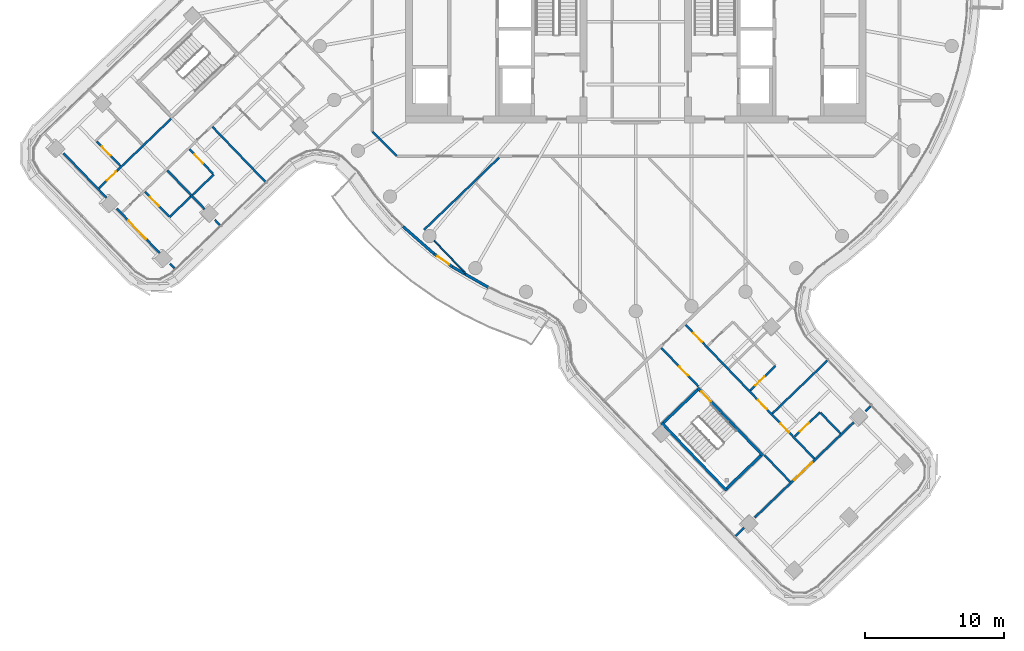
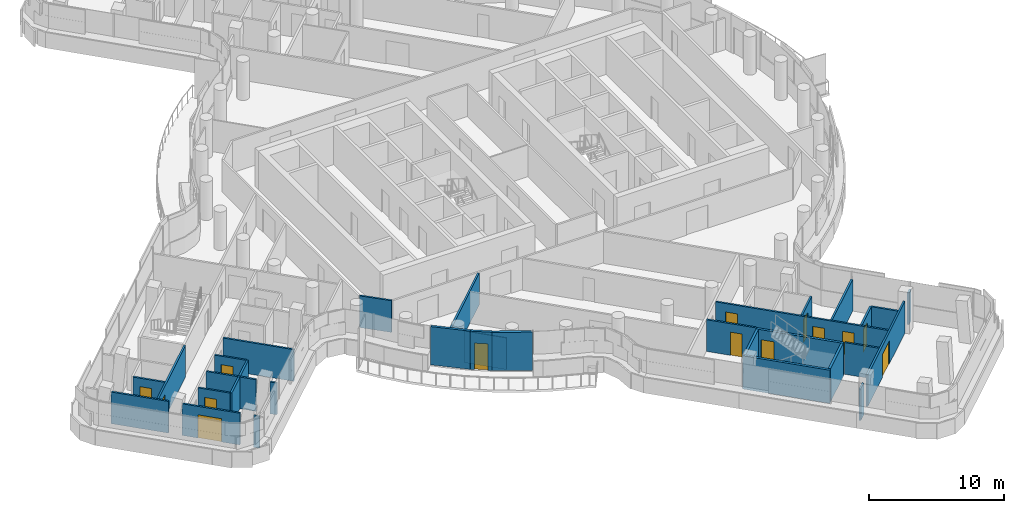
# One storey, part 20 of 34: 31 walls, 14 doors, 14 openings.
"""IFC4 building model written with IfcOpenShell, lengths in metres."""

from ifc_helpers import new_model, si_unit, direction, frame, frame_2d, origin, place, context, subcontext, project, spatial, polyline, rectangle, outline, extrude, material, layer, layer_set, type_object, element, fill, save


model = new_model("IFC4")

# Units and contexts
model_context = context("Model", 3, precision=1e-05, world=origin(), true_north=direction((0.0, 1.0)))
body_context = subcontext(model_context, "Body", "Model", "MODEL_VIEW")
ifc_project = project(units=[si_unit("LENGTHUNIT", "METRE"), si_unit("AREAUNIT", "SQUARE_METRE"), si_unit("VOLUMEUNIT", "CUBIC_METRE"), si_unit("PLANEANGLEUNIT", "RADIAN"), si_unit("MASSUNIT", "GRAM", prefix="KILO")], contexts=[model_context])

# Site, building, storey
site_placement = place(None, origin())
site = spatial("IfcSite", under=ifc_project, at=site_placement, CompositionType="ELEMENT")
building_placement = place(site_placement, origin())
building = spatial("IfcBuilding", under=site, at=building_placement, Name="Tamarind Cross Interchange Tower", CompositionType="ELEMENT")
storey_placement = place(building_placement, frame((0.0, 0.0, 193.300048828125)))
storey = spatial("IfcBuildingStorey", under=building, at=storey_placement, Name="L48", CompositionType="ELEMENT", Elevation=193.300048828125)

# Walls
ifc_material_1 = material(Name="Concrete C40", Category="concrete")
ifc_layer_1 = layer(ifc_material_1, 0.199951171875)
ifc_layer_set_1 = layer_set([ifc_layer_1], Name="Concrete C40")
wall_type_1 = type_object("IfcWallType", Name="Balcony and garden door wall", PredefinedType="SOLIDWALL", material=ifc_layer_set_1)
wall_1_placement = place(storey_placement, frame((-16.703857421875, -16.919189453125, 0.0), z_axis=(0.0, 0.0, 1.0), x_axis=(0.750789592243, -0.660541435627, 0.0)))
element("IfcWall", 1, at=wall_1_placement, inside=storey, type_object=wall_type_1, Name="EXW-L48-02-D02L", PredefinedType="SOLIDWALL", context=body_context, shape_type="SweptSolid", body=[
    extrude(rectangle(XDim=2.991943359375, YDim=0.199951171875, at=frame_2d((1.49609375, 0.0))), origin(), (0.0, 0.0, 1.0), 3.4599609375),
])
wall_2_placement = place(storey_placement, frame((-13.1513671875, -19.819580078125, 0.0), z_axis=(0.0, 0.0, 1.0), x_axis=(0.867966774953, -0.496622268508, 0.0)))
element("IfcWall", 2, at=wall_2_placement, inside=storey, type_object=wall_type_1, Name="EXW-L48-02-D02R", PredefinedType="SOLIDWALL", context=body_context, shape_type="SweptSolid", body=[
    extrude(rectangle(XDim=2.991455078125, YDim=0.199951171875, at=frame_2d((1.49560546875, 0.0))), origin(), (0.0, 0.0, 1.0), 3.4599609375),
])

# Wall, opening, door
wall_3_placement = place(storey_placement, frame((-14.45751953125, -18.8955078125, 0.0), z_axis=(0.0, 0.0, 1.0), x_axis=(0.816354223939, -0.57755153974, 0.0)))
wall_3 = element("IfcWall", 3, at=wall_3_placement, inside=storey, type_object=wall_type_1, Name="EXW-L48-02-D02", PredefinedType="SOLIDWALL", context=body_context, shape_type="SweptSolid", body=[
    extrude(rectangle(XDim=1.60009765625, YDim=0.199951171875, at=frame_2d((0.800048828125, 0.0))), origin(), (0.0, 0.0, 1.0), 3.4599609375),
])
opening_1_placement = place(wall_3_placement, frame((0.300048828125, 0.0, 0.0)))
opening_1 = element("IfcOpeningElement", 4, at=opening_1_placement, cuts=wall_3, Name="Opening D2", PredefinedType="OPENING", context=body_context, shape_type="SweptSolid", body=[
    extrude(rectangle(XDim=1.0, YDim=2.39990234375, at=frame_2d((0.5, 1.199951171875))), frame((0.0, 0.10986328125, 0.0), z_axis=(0.0, -1.0, 0.0), x_axis=(1.0, 0.0, 0.0)), (0.0, 0.0, 1.0), 0.219970703125),
])
ifc_material_2 = material(Name="Aluminium and toughened glass", Category="aluminium")
door_type_1 = type_object("IfcDoorType", Name="Balcony and garden door", OperationType="SINGLE_SWING_LEFT", PredefinedType="DOOR", material=ifc_material_2)
door_1_placement = place(opening_1_placement, origin())
door_1 = element("IfcDoor", 5, at=door_1_placement, inside=storey, type_object=door_type_1, Name="DOR-L48-02-02", OperationType="SINGLE_SWING_LEFT", OverallHeight=2.39990234375, OverallWidth=1.0, PredefinedType="DOOR", context=body_context, shape_type="SweptSolid", body=[
    extrude(rectangle(XDim=1.0, YDim=2.39990234375, at=frame_2d((0.5, 1.199951171875))), frame((0.0, 0.02490234375, 0.0), z_axis=(0.0, -1.0, 0.0), x_axis=(1.0, 0.0, 0.0)), (0.0, 0.0, 1.0), 0.050048828125),
])
fill(opening_1, door_1)

# Walls
ifc_material_3 = material(Name="Gypsum board partition on steel studs", Category="steel")
ifc_layer_2 = layer(ifc_material_3, 0.10009765625)
ifc_layer_set_2 = layer_set([ifc_layer_2], Name="Gypsum board partition on steel studs")
wall_type_2 = type_object("IfcWallType", Name="Partition 100 mm EI 90", PredefinedType="PARTITIONING", material=ifc_layer_set_2)
wall_4_placement = place(storey_placement, frame((-14.445556640625, -17.943115234375, 0.0), z_axis=(0.0, 0.0, 1.0), x_axis=(0.693080436315, -0.720860256081, 0.0)))
element("IfcWall", 6, at=wall_4_placement, inside=storey, type_object=wall_type_2, Name="Partition L48-019", PredefinedType="PARTITIONING", context=body_context, shape_type="SweptSolid", body=[
    extrude(rectangle(XDim=3.278076171875, YDim=0.10009765625, at=frame_2d((1.63916015625, 0.0))), origin(), (0.0, 0.0, 1.0), 2.864013671875),
])
ifc_layer_3 = layer(ifc_material_3, 0.14990234375)
ifc_layer_set_3 = layer_set([ifc_layer_3], Name="Gypsum board partition on steel studs")
wall_type_3 = type_object("IfcWallType", Name="Partition 150 mm EI 120", PredefinedType="PARTITIONING", material=ifc_layer_set_3)
wall_5_placement = place(storey_placement, frame((-41.02099609375, -11.671142578125, 0.0), z_axis=(0.0, 0.0, 1.0), x_axis=(0.693163684942, -0.720780206358, 0.0)))
element("IfcWall", 7, at=wall_5_placement, inside=storey, type_object=wall_type_3, Name="Partition L48-002", PredefinedType="PARTITIONING", context=body_context, shape_type="SweptSolid", body=[
    extrude(rectangle(XDim=4.43798828125, YDim=0.14990234375, at=frame_2d((2.218994140625, 0.0))), origin(), (0.0, 0.0, 1.0), 2.864013671875),
])

# Wall, opening, door
wall_6_placement = place(storey_placement, frame((-37.208251953125, -15.6357421875, 0.0), z_axis=(0.0, 0.0, 1.0), x_axis=(0.693163684942, -0.720780206358, 0.0)))
wall_6 = element("IfcWall", 8, at=wall_6_placement, inside=storey, type_object=wall_type_3, Name="Partition L48-003", PredefinedType="PARTITIONING", context=body_context, shape_type="SweptSolid", body=[
    extrude(rectangle(XDim=4.43798828125, YDim=0.14990234375, at=frame_2d((2.218994140625, 0.0))), origin(), (0.0, 0.0, 1.0), 2.864013671875),
])
opening_2_placement = place(wall_6_placement, frame((1.221923828125, 0.0, 0.0)))
opening_2 = element("IfcOpeningElement", 9, at=opening_2_placement, cuts=wall_6, Name="Opening D01", PredefinedType="OPENING", context=body_context, shape_type="SweptSolid", body=[
    extrude(rectangle(XDim=1.800048828125, YDim=2.10009765625, at=frame_2d((0.89990234375, 1.050048828125))), frame((0.0, 0.0849609375, 0.0), z_axis=(0.0, -1.0, 0.0), x_axis=(1.0, 0.0, 0.0)), (0.0, 0.0, 1.0), 0.169921875),
])
ifc_material_4 = material(Name="Fire-resisting door set")
door_type_2 = type_object("IfcDoorType", Name="Interior door 1800 x 2100 FD60S", OperationType="DOUBLE_DOOR_SINGLE_SWING", PredefinedType="DOOR", material=ifc_material_4)
door_2_placement = place(opening_2_placement, frame((1.800048828125, 0.0, 0.0), z_axis=(0.0, 0.0, 1.0), x_axis=(-1.0, 0.0, 0.0)))
door_2 = element("IfcDoor", 10, at=door_2_placement, inside=storey, type_object=door_type_2, Name="Door D01", OperationType="DOUBLE_DOOR_SINGLE_SWING", OverallHeight=2.10009765625, OverallWidth=1.800048828125, PredefinedType="DOOR", context=body_context, shape_type="SweptSolid", body=[
    extrude(rectangle(XDim=1.800048828125, YDim=2.10009765625, at=frame_2d((0.89990234375, 1.050048828125))), frame((0.0, 0.02490234375, 0.0), z_axis=(0.0, -1.0, 0.0), x_axis=(1.0, 0.0, 0.0)), (0.0, 0.0, 1.0), 0.050048828125),
])
fill(opening_2, door_2)

# Walls
wall_7_placement = place(storey_placement, frame((-33.3955078125, -19.6005859375, 0.0), z_axis=(0.0, 0.0, 1.0), x_axis=(0.693263789221, -0.720683924168, 0.0)))
element("IfcWall", 11, at=wall_7_placement, inside=storey, type_object=wall_type_3, Name="Partition L48-004", PredefinedType="PARTITIONING", context=body_context, shape_type="SweptSolid", body=[
    extrude(rectangle(XDim=0.471923828125, YDim=0.14990234375, at=frame_2d((0.23583984375, 0.0))), origin(), (0.0, 0.0, 1.0), 2.864013671875),
])
wall_8_placement = place(storey_placement, frame((-33.5810546875, -12.913330078125, 0.0), z_axis=(0.0, 0.0, 1.0), x_axis=(0.693362340848, -0.720589109198, 0.0)))
element("IfcWall", 12, at=wall_8_placement, inside=storey, type_object=wall_type_3, Name="Partition L48-007", PredefinedType="PARTITIONING", context=body_context, shape_type="SweptSolid", body=[
    extrude(rectangle(XDim=3.846923828125, YDim=0.14990234375, at=frame_2d((1.92333984375, 0.0))), origin(), (0.0, 0.0, 1.0), 2.864013671875),
])
wall_9_placement = place(storey_placement, frame((-30.177001953125, -16.451171875, 0.0), z_axis=(0.0, 0.0, 1.0), x_axis=(0.693570598872, -0.720388662029, 0.0)))
element("IfcWall", 13, at=wall_9_placement, inside=storey, type_object=wall_type_3, Name="Partition L48-008", PredefinedType="PARTITIONING", context=body_context, shape_type="SweptSolid", body=[
    extrude(rectangle(XDim=0.528076171875, YDim=0.14990234375, at=frame_2d((0.26416015625, 0.0))), origin(), (0.0, 0.0, 1.0), 2.864013671875),
])

# Wall, opening, door
wall_10_placement = place(storey_placement, frame((-38.636962890625, -10.83203125, 0.0), z_axis=(0.0, 0.0, 1.0), x_axis=(0.69314064678, -0.720802361109, 0.0)))
wall_10 = element("IfcWall", 14, at=wall_10_placement, inside=storey, type_object=wall_type_3, Name="Partition L48-009", PredefinedType="PARTITIONING", context=body_context, shape_type="SweptSolid", body=[
    extrude(rectangle(XDim=2.44482421875, YDim=0.14990234375, at=frame_2d((1.222412109375, 0.0))), origin(), (0.0, 0.0, 1.0), 2.864013671875),
])
opening_3_placement = place(wall_10_placement, frame((0.52490234375, 0.0, 0.0)))
opening_3 = element("IfcOpeningElement", 15, at=opening_3_placement, cuts=wall_10, Name="Opening D02", PredefinedType="OPENING", context=body_context, shape_type="SweptSolid", body=[
    extrude(rectangle(XDim=0.89990234375, YDim=2.10009765625, at=frame_2d((0.449951171875, 1.050048828125))), frame((0.0, 0.0849609375, 0.0), z_axis=(0.0, -1.0, 0.0), x_axis=(1.0, 0.0, 0.0)), (0.0, 0.0, 1.0), 0.169921875),
])
door_type_3 = type_object("IfcDoorType", Name="Interior door 900 x 2100 FD60S", OperationType="SINGLE_SWING_LEFT", PredefinedType="DOOR", material=ifc_material_4)
door_3_placement = place(opening_3_placement, origin())
door_3 = element("IfcDoor", 16, at=door_3_placement, inside=storey, type_object=door_type_3, Name="Door D02", OperationType="SINGLE_SWING_RIGHT", OverallHeight=2.10009765625, OverallWidth=0.89990234375, PredefinedType="DOOR", context=body_context, shape_type="SweptSolid", body=[
    extrude(rectangle(XDim=0.89990234375, YDim=2.10009765625, at=frame_2d((0.449951171875, 1.050048828125))), frame((0.0, 0.02490234375, 0.0), z_axis=(0.0, -1.0, 0.0), x_axis=(1.0, 0.0, 0.0)), (0.0, 0.0, 1.0), 0.050048828125),
])
fill(opening_3, door_3)

wall_11_placement = place(storey_placement, frame((-35.167724609375, -14.43994140625, 0.0), z_axis=(0.0, 0.0, 1.0), x_axis=(0.693138230108, -0.720804685031, 0.0)))
wall_11 = element("IfcWall", 17, at=wall_11_placement, inside=storey, type_object=wall_type_3, Name="Partition L48-010", PredefinedType="PARTITIONING", context=body_context, shape_type="SweptSolid", body=[
    extrude(rectangle(XDim=2.479736328125, YDim=0.14990234375, at=frame_2d((1.23974609375, 0.0))), origin(), (0.0, 0.0, 1.0), 2.864013671875),
])
opening_4_placement = place(wall_11_placement, frame((0.52001953125, 0.0, 0.0)))
opening_4 = element("IfcOpeningElement", 18, at=opening_4_placement, cuts=wall_11, Name="Opening D03", PredefinedType="OPENING", context=body_context, shape_type="SweptSolid", body=[
    extrude(rectangle(XDim=0.89990234375, YDim=2.10009765625, at=frame_2d((0.449951171875, 1.050048828125))), frame((0.0, 0.0849609375, 0.0), z_axis=(0.0, -1.0, 0.0), x_axis=(1.0, 0.0, 0.0)), (0.0, 0.0, 1.0), 0.169921875),
])
door_4_placement = place(opening_4_placement, origin())
door_4 = element("IfcDoor", 19, at=door_4_placement, inside=storey, type_object=door_type_3, Name="Door D03", OperationType="SINGLE_SWING_RIGHT", OverallHeight=2.10009765625, OverallWidth=0.89990234375, PredefinedType="DOOR", context=body_context, shape_type="SweptSolid", body=[
    extrude(rectangle(XDim=0.89990234375, YDim=2.10009765625, at=frame_2d((0.449951171875, 1.050048828125))), frame((0.0, 0.02490234375, 0.0), z_axis=(0.0, -1.0, 0.0), x_axis=(1.0, 0.0, 0.0)), (0.0, 0.0, 1.0), 0.050048828125),
])
fill(opening_4, door_4)

wall_12_placement = place(storey_placement, frame((-31.99658203125, -11.3896484375, 0.0), z_axis=(0.0, 0.0, 1.0), x_axis=(0.69314064678, -0.720802361109, 0.0)))
wall_12 = element("IfcWall", 20, at=wall_12_placement, inside=storey, type_object=wall_type_3, Name="Partition L48-011", PredefinedType="PARTITIONING", context=body_context, shape_type="SweptSolid", body=[
    extrude(rectangle(XDim=2.44482421875, YDim=0.14990234375, at=frame_2d((1.222412109375, 0.0))), origin(), (0.0, 0.0, 1.0), 2.864013671875),
])
opening_5_placement = place(wall_12_placement, frame((0.52001953125, 0.0, 0.0)))
opening_5 = element("IfcOpeningElement", 21, at=opening_5_placement, cuts=wall_12, Name="Opening D04", PredefinedType="OPENING", context=body_context, shape_type="SweptSolid", body=[
    extrude(rectangle(XDim=0.89990234375, YDim=2.10009765625, at=frame_2d((0.449951171875, 1.050048828125))), frame((0.0, 0.0849609375, 0.0), z_axis=(0.0, -1.0, 0.0), x_axis=(1.0, 0.0, 0.0)), (0.0, 0.0, 1.0), 0.169921875),
])
door_5_placement = place(opening_5_placement, frame((0.89990234375, 0.0, 0.0), z_axis=(0.0, 0.0, 1.0), x_axis=(-1.0, 0.0, 0.0)))
door_5 = element("IfcDoor", 22, at=door_5_placement, inside=storey, type_object=door_type_3, Name="Door D04", OperationType="SINGLE_SWING_LEFT", OverallHeight=2.10009765625, OverallWidth=0.89990234375, PredefinedType="DOOR", context=body_context, shape_type="SweptSolid", body=[
    extrude(rectangle(XDim=0.89990234375, YDim=2.10009765625, at=frame_2d((0.449951171875, 1.050048828125))), frame((0.0, 0.02490234375, 0.0), z_axis=(0.0, -1.0, 0.0), x_axis=(1.0, 0.0, 0.0)), (0.0, 0.0, 1.0), 0.050048828125),
])
fill(opening_5, door_5)

# Wall
wall_13_placement = place(storey_placement, frame((-30.33837890625, -9.795654296875, 0.0), z_axis=(0.0, 0.0, 1.0), x_axis=(0.693208008326, -0.720737578591, 0.0)))
element("IfcWall", 23, at=wall_13_placement, inside=storey, type_object=wall_type_3, Name="Partition L48-012", PredefinedType="PARTITIONING", context=body_context, shape_type="SweptSolid", body=[
    extrude(rectangle(XDim=5.4541015625, YDim=0.14990234375, at=frame_2d((2.72705078125, 0.0))), origin(), (0.0, 0.0, 1.0), 2.864013671875),
])

# Wall, opening, door
wall_14_placement = place(storey_placement, frame((1.83837890625, -25.64306640625, 0.0), z_axis=(0.0, 0.0, 1.0), x_axis=(0.693217139655, -0.720728795934, 0.0)))
wall_14 = element("IfcWall", 24, at=wall_14_placement, inside=storey, type_object=wall_type_3, Name="Partition L48-035", PredefinedType="PARTITIONING", context=body_context, shape_type="SweptSolid", body=[
    extrude(rectangle(XDim=3.82470703125, YDim=0.14990234375, at=frame_2d((1.912353515625, 0.0))), origin(), (0.0, 0.0, 1.0), 2.864013671875),
])
opening_6_placement = place(wall_14_placement, frame((1.85009765625, 0.0, 0.0)))
opening_6 = element("IfcOpeningElement", 25, at=opening_6_placement, cuts=wall_14, Name="Opening D19", PredefinedType="OPENING", context=body_context, shape_type="SweptSolid", body=[
    extrude(rectangle(XDim=0.89990234375, YDim=2.10009765625, at=frame_2d((0.449951171875, 1.050048828125))), frame((0.0, 0.0849609375, 0.0), z_axis=(0.0, -1.0, 0.0), x_axis=(1.0, 0.0, 0.0)), (0.0, 0.0, 1.0), 0.169921875),
])
door_6_placement = place(opening_6_placement, frame((0.89990234375, 0.0, 0.0), z_axis=(0.0, 0.0, 1.0), x_axis=(-1.0, 0.0, 0.0)))
door_6 = element("IfcDoor", 26, at=door_6_placement, inside=storey, type_object=door_type_3, Name="Door D19", OperationType="SINGLE_SWING_RIGHT", OverallHeight=2.10009765625, OverallWidth=0.89990234375, PredefinedType="DOOR", context=body_context, shape_type="SweptSolid", body=[
    extrude(rectangle(XDim=0.89990234375, YDim=2.10009765625, at=frame_2d((0.449951171875, 1.050048828125))), frame((0.0, 0.02490234375, 0.0), z_axis=(0.0, -1.0, 0.0), x_axis=(1.0, 0.0, 0.0)), (0.0, 0.0, 1.0), 0.050048828125),
])
fill(opening_6, door_6)

# Wall
wall_15_placement = place(storey_placement, frame((9.21435546875, -33.311767578125, 0.0), z_axis=(0.0, 0.0, 1.0), x_axis=(0.693261649046, -0.720685982909, 0.0)))
element("IfcWall", 27, at=wall_15_placement, inside=storey, type_object=wall_type_3, Name="Partition L48-036", PredefinedType="PARTITIONING", context=body_context, shape_type="SweptSolid", body=[
    extrude(rectangle(XDim=2.6796875, YDim=0.14990234375, at=frame_2d((1.33984375, 0.0))), origin(), (0.0, 0.0, 1.0), 2.864013671875),
])

# Wall, openings, doors
wall_16_placement = place(storey_placement, frame((3.582275390625, -23.993408203125, 0.0), z_axis=(0.0, 0.0, 1.0), x_axis=(0.6931498004, -0.72079355866, 0.0)))
wall_16 = element("IfcWall", 28, at=wall_16_placement, inside=storey, type_object=wall_type_3, Name="Partition L48-037", PredefinedType="PARTITIONING", context=body_context, shape_type="SweptSolid", body=[
    extrude(rectangle(XDim=13.300537109375, YDim=0.14990234375, at=frame_2d((6.650390625, 0.0))), origin(), (0.0, 0.0, 1.0), 2.864013671875),
])
opening_7_placement = place(wall_16_placement, frame((0.780029296875, 0.0, 0.0)))
opening_7 = element("IfcOpeningElement", 29, at=opening_7_placement, cuts=wall_16, Name="Opening D20", PredefinedType="OPENING", context=body_context, shape_type="SweptSolid", body=[
    extrude(rectangle(XDim=0.89990234375, YDim=2.10009765625, at=frame_2d((0.449951171875, 1.050048828125))), frame((0.0, 0.0849609375, 0.0), z_axis=(0.0, -1.0, 0.0), x_axis=(1.0, 0.0, 0.0)), (0.0, 0.0, 1.0), 0.169921875),
])
opening_8_placement = place(wall_16_placement, frame((7.479736328125, 0.0, 0.0)))
opening_8 = element("IfcOpeningElement", 30, at=opening_8_placement, cuts=wall_16, Name="Opening D21", PredefinedType="OPENING", context=body_context, shape_type="SweptSolid", body=[
    extrude(rectangle(XDim=0.89990234375, YDim=2.10009765625, at=frame_2d((0.449951171875, 1.050048828125))), frame((0.0, 0.0849609375, 0.0), z_axis=(0.0, -1.0, 0.0), x_axis=(1.0, 0.0, 0.0)), (0.0, 0.0, 1.0), 0.169921875),
])
opening_9_placement = place(wall_16_placement, frame((9.7802734375, 0.0, 0.0)))
opening_9 = element("IfcOpeningElement", 31, at=opening_9_placement, cuts=wall_16, Name="Opening D22", PredefinedType="OPENING", context=body_context, shape_type="SweptSolid", body=[
    extrude(rectangle(XDim=0.89990234375, YDim=2.10009765625, at=frame_2d((0.449951171875, 1.050048828125))), frame((0.0, 0.0849609375, 0.0), z_axis=(0.0, -1.0, 0.0), x_axis=(1.0, 0.0, 0.0)), (0.0, 0.0, 1.0), 0.169921875),
])
door_7_placement = place(opening_7_placement, origin())
door_7 = element("IfcDoor", 32, at=door_7_placement, inside=storey, type_object=door_type_3, Name="Door D20", OperationType="SINGLE_SWING_RIGHT", OverallHeight=2.10009765625, OverallWidth=0.89990234375, PredefinedType="DOOR", context=body_context, shape_type="SweptSolid", body=[
    extrude(rectangle(XDim=0.89990234375, YDim=2.10009765625, at=frame_2d((0.449951171875, 1.050048828125))), frame((0.0, 0.02490234375, 0.0), z_axis=(0.0, -1.0, 0.0), x_axis=(1.0, 0.0, 0.0)), (0.0, 0.0, 1.0), 0.050048828125),
])
fill(opening_7, door_7)
door_8_placement = place(opening_8_placement, origin())
door_8 = element("IfcDoor", 33, at=door_8_placement, inside=storey, type_object=door_type_3, Name="Door D21", OperationType="SINGLE_SWING_LEFT", OverallHeight=2.10009765625, OverallWidth=0.89990234375, PredefinedType="DOOR", context=body_context, shape_type="SweptSolid", body=[
    extrude(rectangle(XDim=0.89990234375, YDim=2.10009765625, at=frame_2d((0.449951171875, 1.050048828125))), frame((0.0, 0.02490234375, 0.0), z_axis=(0.0, -1.0, 0.0), x_axis=(1.0, 0.0, 0.0)), (0.0, 0.0, 1.0), 0.050048828125),
])
fill(opening_8, door_8)
door_9_placement = place(opening_9_placement, origin())
door_9 = element("IfcDoor", 34, at=door_9_placement, inside=storey, type_object=door_type_3, Name="Door D22", OperationType="SINGLE_SWING_LEFT", OverallHeight=2.10009765625, OverallWidth=0.89990234375, PredefinedType="DOOR", context=body_context, shape_type="SweptSolid", body=[
    extrude(rectangle(XDim=0.89990234375, YDim=2.10009765625, at=frame_2d((0.449951171875, 1.050048828125))), frame((0.0, 0.02490234375, 0.0), z_axis=(0.0, -1.0, 0.0), x_axis=(1.0, 0.0, 0.0)), (0.0, 0.0, 1.0), 0.050048828125),
])
fill(opening_9, door_9)

# Walls
wall_17_placement = place(storey_placement, frame((13.235107421875, -30.277587890625, 0.0), z_axis=(0.0, 0.0, 1.0), x_axis=(0.693296401746, -0.720652551044, 0.0)))
element("IfcWall", 35, at=wall_17_placement, inside=storey, type_object=wall_type_3, Name="Partition L48-039", PredefinedType="PARTITIONING", context=body_context, shape_type="SweptSolid", body=[
    extrude(rectangle(XDim=2.079345703125, YDim=0.14990234375, at=frame_2d((1.03955078125, 0.0))), origin(), (0.0, 0.0, 1.0), 2.864013671875),
])
wall_18_placement = place(storey_placement, frame((-18.87158203125, -10.12841796875, 0.0), z_axis=(0.0, 0.0, 1.0), x_axis=(0.707106781187, -0.707106781187, 0.0)))
element("IfcWall", 36, at=wall_18_placement, inside=storey, type_object=wall_type_3, Name="Partition L48-041", PredefinedType="PARTITIONING", context=body_context, shape_type="SweptSolid", body=[
    extrude(rectangle(XDim=2.465087890625, YDim=0.14990234375, at=frame_2d((1.232421875, 0.0))), origin(), (0.0, 0.0, 1.0), 2.864013671875),
])

# Wall, opening, door
wall_19_placement = place(storey_placement, frame((-38.4873046875, -14.1904296875, 0.0), z_axis=(0.0, 0.0, 1.0), x_axis=(0.720778173086, 0.693165799216, 0.0)))
wall_19 = element("IfcWall", 37, at=wall_19_placement, inside=storey, type_object=wall_type_3, Name="Partition L48-053", PredefinedType="PARTITIONING", context=body_context, shape_type="SweptSolid", body=[
    extrude(rectangle(XDim=7.179443359375, YDim=0.14990234375, at=frame_2d((3.58984375, 0.0))), origin(), (0.0, 0.0, 1.0), 2.864013671875),
])
opening_10_placement = place(wall_19_placement, frame((0.820068359375, 0.0, 0.0)))
opening_10 = element("IfcOpeningElement", 38, at=opening_10_placement, cuts=wall_19, Name="Opening D29", PredefinedType="OPENING", context=body_context, shape_type="SweptSolid", body=[
    extrude(rectangle(XDim=0.89990234375, YDim=2.10009765625, at=frame_2d((0.449951171875, 1.050048828125))), frame((0.0, 0.0849609375, 0.0), z_axis=(0.0, -1.0, 0.0), x_axis=(1.0, 0.0, 0.0)), (0.0, 0.0, 1.0), 0.169921875),
])
door_10_placement = place(opening_10_placement, origin())
door_10 = element("IfcDoor", 39, at=door_10_placement, inside=storey, type_object=door_type_3, Name="Door D29", OperationType="SINGLE_SWING_RIGHT", OverallHeight=2.10009765625, OverallWidth=0.89990234375, PredefinedType="DOOR", context=body_context, shape_type="SweptSolid", body=[
    extrude(rectangle(XDim=0.89990234375, YDim=2.10009765625, at=frame_2d((0.449951171875, 1.050048828125))), frame((0.0, 0.02490234375, 0.0), z_axis=(0.0, -1.0, 0.0), x_axis=(1.0, 0.0, 0.0)), (0.0, 0.0, 1.0), 0.050048828125),
])
fill(opening_10, door_10)

# Walls
wall_20_placement = place(storey_placement, frame((-33.4208984375, -16.256103515625, 0.0), z_axis=(0.0, 0.0, 1.0), x_axis=(0.72081600394, 0.693126459215, 0.0)))
element("IfcWall", 40, at=wall_20_placement, inside=storey, type_object=wall_type_3, Name="Partition L48-056", PredefinedType="PARTITIONING", context=body_context, shape_type="SweptSolid", body=[
    extrude(rectangle(XDim=4.399658203125, YDim=0.14990234375, at=frame_2d((2.19970703125, 0.0))), origin(), (0.0, 0.0, 1.0), 2.864013671875),
])
wall_21_placement = place(storey_placement, frame((-15.181884765625, -17.177001953125, 0.0), z_axis=(0.0, 0.0, 1.0), x_axis=(0.720763816656, 0.693180727227, 0.0)))
element("IfcWall", 41, at=wall_21_placement, inside=storey, type_object=wall_type_3, Name="Partition L48-065", PredefinedType="PARTITIONING", context=body_context, shape_type="SweptSolid", body=[
    extrude(rectangle(XDim=7.45263671875, YDim=0.14990234375, at=frame_2d((3.726318359375, 0.0))), origin(), (0.0, 0.0, 1.0), 2.864013671875),
])
wall_22_placement = place(storey_placement, frame((7.163818359375, -39.11328125, 0.0), z_axis=(0.0, 0.0, 1.0), x_axis=(0.720736366208, 0.693209268854, 0.0)))
element("IfcWall", 42, at=wall_22_placement, inside=storey, type_object=wall_type_3, Name="Partition L48-083", PredefinedType="PARTITIONING", context=body_context, shape_type="SweptSolid", body=[
    extrude(rectangle(XDim=0.82470703125, YDim=0.14990234375, at=frame_2d((0.412353515625, 0.0))), origin(), (0.0, 0.0, 1.0), 2.864013671875),
])

# Wall, opening, door
wall_23_placement = place(storey_placement, frame((8.524169921875, -37.8046875, 0.0), z_axis=(0.0, 0.0, 1.0), x_axis=(0.720729677503, 0.693216223098, 0.0)))
wall_23 = element("IfcWall", 43, at=wall_23_placement, inside=storey, type_object=wall_type_3, Name="Partition L48-084", PredefinedType="PARTITIONING", context=body_context, shape_type="SweptSolid", body=[
    extrude(rectangle(XDim=9.938232421875, YDim=0.14990234375, at=frame_2d((4.96923828125, 0.0))), origin(), (0.0, 0.0, 1.0), 2.864013671875),
])
opening_11_placement = place(wall_23_placement, frame((3.91162109375, 0.0, 0.0)))
opening_11 = element("IfcOpeningElement", 44, at=opening_11_placement, cuts=wall_23, Name="Opening D46", PredefinedType="OPENING", context=body_context, shape_type="SweptSolid", body=[
    extrude(rectangle(XDim=1.800048828125, YDim=2.10009765625, at=frame_2d((0.89990234375, 1.050048828125))), frame((0.0, 0.0849609375, 0.0), z_axis=(0.0, -1.0, 0.0), x_axis=(1.0, 0.0, 0.0)), (0.0, 0.0, 1.0), 0.169921875),
])
door_11_placement = place(opening_11_placement, frame((1.800048828125, 0.0, 0.0), z_axis=(0.0, 0.0, 1.0), x_axis=(-1.0, 0.0, 0.0)))
door_11 = element("IfcDoor", 45, at=door_11_placement, inside=storey, type_object=door_type_2, Name="Door D46", OperationType="DOUBLE_DOOR_SINGLE_SWING", OverallHeight=2.10009765625, OverallWidth=1.800048828125, PredefinedType="DOOR", context=body_context, shape_type="SweptSolid", body=[
    extrude(rectangle(XDim=1.800048828125, YDim=2.10009765625, at=frame_2d((0.89990234375, 1.050048828125))), frame((0.0, 0.02490234375, 0.0), z_axis=(0.0, -1.0, 0.0), x_axis=(1.0, 0.0, 0.0)), (0.0, 0.0, 1.0), 0.050048828125),
])
fill(opening_11, door_11)

# Wall
wall_24_placement = place(storey_placement, frame((16.452880859375, -30.1787109375, 0.0), z_axis=(0.0, 0.0, 1.0), x_axis=(0.720388662029, 0.693570598872, 0.0)))
element("IfcWall", 46, at=wall_24_placement, inside=storey, type_object=wall_type_3, Name="Partition L48-085", PredefinedType="PARTITIONING", context=body_context, shape_type="SweptSolid", body=[
    extrude(rectangle(XDim=0.528076171875, YDim=0.14990234375, at=frame_2d((0.26416015625, 0.0))), origin(), (0.0, 0.0, 1.0), 2.864013671875),
])

# Wall, opening, door
wall_25_placement = place(storey_placement, frame((8.20068359375, -28.6806640625, 0.0), z_axis=(0.0, 0.0, 1.0), x_axis=(0.720825617884, 0.693116461067, 0.0)))
wall_25 = element("IfcWall", 47, at=wall_25_placement, inside=storey, type_object=wall_type_3, Name="Partition L48-086", PredefinedType="PARTITIONING", context=body_context, shape_type="SweptSolid", body=[
    extrude(rectangle(XDim=2.519775390625, YDim=0.14990234375, at=frame_2d((1.259765625, 0.0))), origin(), (0.0, 0.0, 1.0), 2.864013671875),
])
opening_12_placement = place(wall_25_placement, frame((0.52001953125, 0.0, 0.0)))
opening_12 = element("IfcOpeningElement", 48, at=opening_12_placement, cuts=wall_25, Name="Opening D47", PredefinedType="OPENING", context=body_context, shape_type="SweptSolid", body=[
    extrude(rectangle(XDim=0.89990234375, YDim=2.10009765625, at=frame_2d((0.449951171875, 1.050048828125))), frame((0.0, 0.0849609375, 0.0), z_axis=(0.0, -1.0, 0.0), x_axis=(1.0, 0.0, 0.0)), (0.0, 0.0, 1.0), 0.169921875),
])
door_12_placement = place(opening_12_placement, origin())
door_12 = element("IfcDoor", 49, at=door_12_placement, inside=storey, type_object=door_type_3, Name="Door D47", OperationType="SINGLE_SWING_RIGHT", OverallHeight=2.10009765625, OverallWidth=0.89990234375, PredefinedType="DOOR", context=body_context, shape_type="SweptSolid", body=[
    extrude(rectangle(XDim=0.89990234375, YDim=2.10009765625, at=frame_2d((0.449951171875, 1.050048828125))), frame((0.0, 0.02490234375, 0.0), z_axis=(0.0, -1.0, 0.0), x_axis=(1.0, 0.0, 0.0)), (0.0, 0.0, 1.0), 0.050048828125),
])
fill(opening_12, door_12)

# Wall
wall_26_placement = place(storey_placement, frame((9.795654296875, -30.33837890625, 0.0), z_axis=(0.0, 0.0, 1.0), x_axis=(0.720737578591, 0.693208008326, 0.0)))
element("IfcWall", 50, at=wall_26_placement, inside=storey, type_object=wall_type_3, Name="Partition L48-087", PredefinedType="PARTITIONING", context=body_context, shape_type="SweptSolid", body=[
    extrude(rectangle(XDim=5.4541015625, YDim=0.14990234375, at=frame_2d((2.72705078125, 0.0))), origin(), (0.0, 0.0, 1.0), 2.864013671875),
])

# Wall, opening, door
wall_27_placement = place(storey_placement, frame((11.3896484375, -31.99658203125, 0.0), z_axis=(0.0, 0.0, 1.0), x_axis=(0.720825617884, 0.693116461067, 0.0)))
wall_27 = element("IfcWall", 51, at=wall_27_placement, inside=storey, type_object=wall_type_3, Name="Partition L48-088", PredefinedType="PARTITIONING", context=body_context, shape_type="SweptSolid", body=[
    extrude(rectangle(XDim=2.519775390625, YDim=0.14990234375, at=frame_2d((1.259765625, 0.0))), origin(), (0.0, 0.0, 1.0), 2.864013671875),
])
opening_13_placement = place(wall_27_placement, frame((0.52001953125, 0.0, 0.0)))
opening_13 = element("IfcOpeningElement", 52, at=opening_13_placement, cuts=wall_27, Name="Opening D48", PredefinedType="OPENING", context=body_context, shape_type="SweptSolid", body=[
    extrude(rectangle(XDim=0.89990234375, YDim=2.10009765625, at=frame_2d((0.449951171875, 1.050048828125))), frame((0.0, 0.0849609375, 0.0), z_axis=(0.0, -1.0, 0.0), x_axis=(1.0, 0.0, 0.0)), (0.0, 0.0, 1.0), 0.169921875),
])
door_13_placement = place(opening_13_placement, frame((0.89990234375, 0.0, 0.0), z_axis=(0.0, 0.0, 1.0), x_axis=(-1.0, 0.0, 0.0)))
door_13 = element("IfcDoor", 53, at=door_13_placement, inside=storey, type_object=door_type_3, Name="Door D48", OperationType="SINGLE_SWING_LEFT", OverallHeight=2.10009765625, OverallWidth=0.89990234375, PredefinedType="DOOR", context=body_context, shape_type="SweptSolid", body=[
    extrude(rectangle(XDim=0.89990234375, YDim=2.10009765625, at=frame_2d((0.449951171875, 1.050048828125))), frame((0.0, 0.02490234375, 0.0), z_axis=(0.0, -1.0, 0.0), x_axis=(1.0, 0.0, 0.0)), (0.0, 0.0, 1.0), 0.050048828125),
])
fill(opening_13, door_13)

ifc_layer_4 = layer(ifc_material_1, 0.199951171875)
ifc_layer_set_4 = layer_set([ifc_layer_4], Name="Concrete C40")
wall_type_4 = type_object("IfcWallType", Name="Stair shaft wall 200 mm Concrete C40", PredefinedType="SHEAR", material=ifc_layer_set_4)
wall_28_placement = place(storey_placement, frame((4.4453125, -28.497802734375, -0.14013671875), z_axis=(0.0, 0.0, 1.0), x_axis=(0.693179705304, -0.72076479947, 0.0)))
wall_28 = element("IfcWall", 54, at=wall_28_placement, inside=storey, type_object=wall_type_4, Name="Core wall CWL-L48-ST6-H", PredefinedType="SHEAR", context=body_context, shape_type="SweptSolid", body=[
    extrude(rectangle(XDim=6.735107421875, YDim=0.199951171875, at=frame_2d((3.36767578125, 0.0))), origin(), (0.0, 0.0, 1.0), 3.004150390625),
])
opening_14_placement = place(wall_28_placement, frame((0.38525390625, 0.0, 0.0)))
opening_14 = element("IfcOpeningElement", 55, at=opening_14_placement, cuts=wall_28, Name="Opening ST6L48", PredefinedType="OPENING", context=body_context, shape_type="SweptSolid", body=[
    extrude(rectangle(XDim=1.0, YDim=2.10009765625, at=frame_2d((0.5, 1.050048828125))), frame((0.0, 0.10986328125, 0.0), z_axis=(0.0, -1.0, 0.0), x_axis=(1.0, 0.0, 0.0)), (0.0, 0.0, 1.0), 0.219970703125),
])
ifc_material_5 = material(Name="Steel, fire-resisting", Category="steel")
door_type_4 = type_object("IfcDoorType", Name="Core fire door 1000 x 2100 FD90", OperationType="SINGLE_SWING_LEFT", PredefinedType="DOOR", material=ifc_material_5)
door_14_placement = place(opening_14_placement, origin())
door_14 = element("IfcDoor", 56, at=door_14_placement, inside=storey, type_object=door_type_4, Name="L48 stair door ST6", OperationType="SINGLE_SWING_LEFT", OverallHeight=2.10009765625, OverallWidth=1.0, PredefinedType="DOOR", context=body_context, shape_type="SweptSolid", body=[
    extrude(rectangle(XDim=1.0, YDim=2.10009765625, at=frame_2d((0.5, 1.050048828125))), frame((0.0, 0.02490234375, 0.0), z_axis=(0.0, -1.0, 0.0), x_axis=(1.0, 0.0, 0.0)), (0.0, 0.0, 1.0), 0.050048828125),
])
fill(opening_14, door_14)

# Walls
wall_29_placement = place(storey_placement, frame((1.84326171875, -31.0, -0.14013671875), z_axis=(0.0, 0.0, 1.0), x_axis=(0.693161595109, -0.720782216114, 0.0)))
element("IfcWall", 57, at=wall_29_placement, inside=storey, type_object=wall_type_4, Name="Core wall CWL-L48-ST6-C", PredefinedType="SHEAR", context=body_context, shape_type="SweptSolid", body=[
    extrude(rectangle(XDim=6.7353515625, YDim=0.199951171875, at=frame_2d((3.36767578125, 0.0))), origin(), (0.0, 0.0, 1.0), 3.004150390625),
])
wall_30_placement = place(storey_placement, frame((1.984619140625, -31.0029296875, -0.14013671875), z_axis=(0.0, 0.0, 1.0), x_axis=(0.720789040648, 0.693154498565, 0.0)))
element("IfcWall", 58, at=wall_30_placement, inside=storey, type_object=wall_type_4, Name="Core wall CWL-L48-ST6-CE", PredefinedType="SHEAR", context=body_context, shape_type="SweptSolid", body=[
    extrude(rectangle(XDim=3.41015625, YDim=0.199951171875, at=frame_2d((1.705078125, 0.0))), origin(), (0.0, 0.0, 1.0), 3.004150390625),
])
wall_31_placement = place(storey_placement, frame((0.0, 0.0, -0.14013671875)))
element("IfcWall", 59, at=wall_31_placement, inside=storey, type_object=wall_type_4, Name="Core wall CWL-L48-ST6-CF", PredefinedType="SHEAR", context=body_context, shape_type="SweptSolid", body=[
    extrude(outline(polyline([(6.4453125, -35.64111328125), (6.583984375, -35.785400390625), (9.0419921875, -33.421630859375), (8.9033203125, -33.277587890625), (6.4453125, -35.64111328125)])), origin(), (0.0, 0.0, 1.0), 3.004150390625),
])

save(model, "model.ifc")
